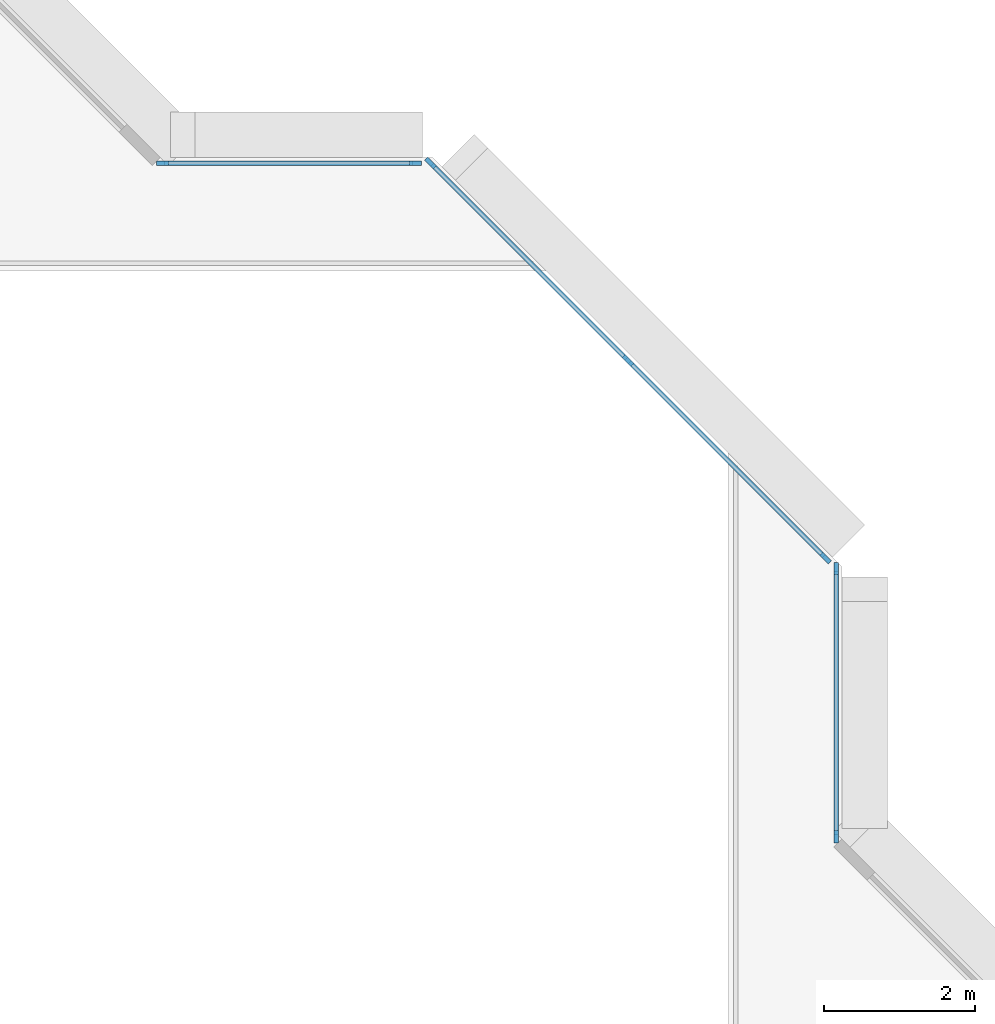
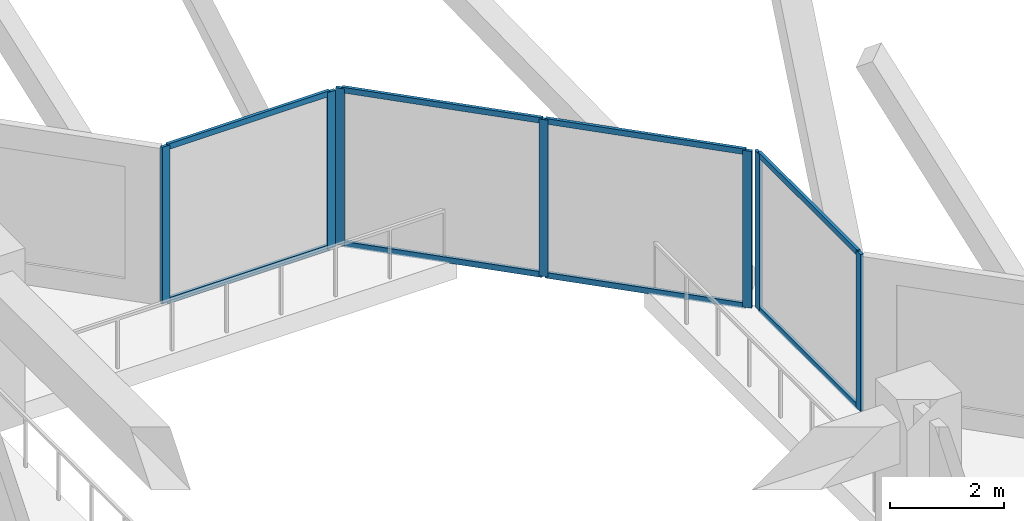
# One storey, part 2 of 15: 15 members, 3 elements without a shape of their own.
"""IFC4 building model written with IfcOpenShell, lengths in metres."""

from ifc_helpers import new_model, si_unit, direction, frame, origin, origin_2d, place, context, subcontext, project, spatial, rectangle, extrude, material, layer, layer_set, material_profile, profile_set, type_object, element, aggregate, save


model = new_model("IFC4")

# Units and contexts
model_context = context("Model", 3, precision=1e-05, world=origin(), true_north=direction((0.0, 1.0)))
body_context = subcontext(model_context, "Body", "Model", "MODEL_VIEW")
ifc_project = project(units=[si_unit("LENGTHUNIT", "METRE"), si_unit("AREAUNIT", "SQUARE_METRE"), si_unit("VOLUMEUNIT", "CUBIC_METRE"), si_unit("PLANEANGLEUNIT", "RADIAN"), si_unit("MASSUNIT", "GRAM", prefix="KILO")], contexts=[model_context])

# Site, building, storey
site_placement = place(None, origin())
site = spatial("IfcSite", under=ifc_project, at=site_placement, CompositionType="ELEMENT")
building_placement = place(site_placement, origin())
building = spatial("IfcBuilding", under=site, at=building_placement, Name="Chenar Terraces", CompositionType="ELEMENT")
storey_placement = place(building_placement, frame((0.0, 0.0, 41.39990234375)))
storey = spatial("IfcBuildingStorey", under=building, at=storey_placement, Name="L07", CompositionType="ELEMENT", Elevation=41.39990234375)

# Curtain wall, members
ifc_material_1 = material(Name="Aluminium framed glazing", Category="aluminium")
ifc_layer = layer(ifc_material_1, 0.14990234375)
ifc_layer_set = layer_set([ifc_layer], Name="Aluminium framed glazing")
curtain_wall_type = type_object("IfcCurtainWallType", Name="Atrium curtain wall", PredefinedType="NOTDEFINED", material=ifc_layer_set)
placement = place(storey_placement, origin())
curtain_wall_1 = element("IfcCurtainWall", 1, at=placement, inside=storey, type_object=curtain_wall_type, Name="Atrium curtain wall", PredefinedType="NOTDEFINED")
ifc_material_2 = material(Name="Aluminium", Category="aluminium")
ifc_material_profile_1 = material_profile(ifc_material_2, rectangle(XDim=0.06005859375, YDim=0.159912109375, at=origin_2d()), Name="Atrium glazing mullion 60 x 160")
ifc_profile_set_1 = profile_set([ifc_material_profile_1], Name="Aluminium")
member_type_1 = type_object("IfcMemberType", Name="Atrium glazing mullion 60 x 160", PredefinedType="MULLION", material=ifc_profile_set_1)
member_1_placement = place(storey_placement, frame((37.425048828125, 28.530029296875, 0.0), z_axis=(0.0, 0.0, 1.0), x_axis=(-1.0, 0.0, 0.0)))
member_1 = element("IfcMember", 2, at=member_1_placement, type_object=member_type_1, Name="CW1-1 mullion 1", PredefinedType="MULLION", context=body_context, shape_type="SweptSolid", body=[
    extrude(rectangle(XDim=0.06005859375, YDim=0.159912109375, at=origin_2d()), origin(), (0.0, 0.0, 1.0), 3.35009765625),
])
member_2_placement = place(storey_placement, frame((37.425048828125, 32.070068359375, 0.0), z_axis=(0.0, 0.0, 1.0), x_axis=(-1.0, 0.0, 0.0)))
member_2 = element("IfcMember", 3, at=member_2_placement, type_object=member_type_1, Name="CW1-1 mullion 2", PredefinedType="MULLION", context=body_context, shape_type="SweptSolid", body=[
    extrude(rectangle(XDim=0.06005859375, YDim=0.159912109375, at=origin_2d()), origin(), (0.0, 0.0, 1.0), 3.35009765625),
])

curtain_wall_2 = element("IfcCurtainWall", 4, at=placement, inside=storey, type_object=curtain_wall_type, Name="Atrium curtain wall", PredefinedType="NOTDEFINED")
member_3_placement = place(storey_placement, frame((37.284423828125, 32.209716796875, 0.0), z_axis=(0.0, 0.0, 1.0), x_axis=(-0.707106781187, -0.707106781187, 0.0)))
member_3 = element("IfcMember", 5, at=member_3_placement, type_object=member_type_1, Name="CW1-2 mullion 1", PredefinedType="MULLION", context=body_context, shape_type="SweptSolid", body=[
    extrude(rectangle(XDim=0.06005859375, YDim=0.159912109375, at=origin_2d()), origin(), (0.0, 0.0, 1.0), 3.35009765625),
])
member_4_placement = place(storey_placement, frame((34.67626953125, 34.817626953125, 0.0), z_axis=(0.0, 0.0, 1.0), x_axis=(-0.707106781187, -0.707106781187, 0.0)))
member_4 = element("IfcMember", 6, at=member_4_placement, type_object=member_type_1, Name="CW1-2 mullion 2", PredefinedType="MULLION", context=body_context, shape_type="SweptSolid", body=[
    extrude(rectangle(XDim=0.06005859375, YDim=0.159912109375, at=origin_2d()), origin(), (0.0, 0.0, 1.0), 3.35009765625),
])
member_5_placement = place(storey_placement, frame((32.068115234375, 37.42578125, 0.0), z_axis=(0.0, 0.0, 1.0), x_axis=(-0.707106781187, -0.707106781187, 0.0)))
member_5 = element("IfcMember", 7, at=member_5_placement, type_object=member_type_1, Name="CW1-2 mullion 3", PredefinedType="MULLION", context=body_context, shape_type="SweptSolid", body=[
    extrude(rectangle(XDim=0.06005859375, YDim=0.159912109375, at=origin_2d()), origin(), (0.0, 0.0, 1.0), 3.35009765625),
])

curtain_wall_3 = element("IfcCurtainWall", 8, at=placement, inside=storey, type_object=curtain_wall_type, Name="Atrium curtain wall", PredefinedType="NOTDEFINED")
member_6_placement = place(storey_placement, frame((31.8701171875, 37.425048828125, 0.0), z_axis=(0.0, 0.0, 1.0), x_axis=(0.0, -1.0, 0.0)))
member_6 = element("IfcMember", 9, at=member_6_placement, type_object=member_type_1, Name="CW1-3 mullion 1", PredefinedType="MULLION", context=body_context, shape_type="SweptSolid", body=[
    extrude(rectangle(XDim=0.06005859375, YDim=0.159912109375, at=origin_2d()), origin(), (0.0, 0.0, 1.0), 3.35009765625),
])
member_7_placement = place(storey_placement, frame((28.530029296875, 37.425048828125, 0.0), z_axis=(0.0, 0.0, 1.0), x_axis=(0.0, -1.0, 0.0)))
member_7 = element("IfcMember", 10, at=member_7_placement, type_object=member_type_1, Name="CW1-3 mullion 2", PredefinedType="MULLION", context=body_context, shape_type="SweptSolid", body=[
    extrude(rectangle(XDim=0.06005859375, YDim=0.159912109375, at=origin_2d()), origin(), (0.0, 0.0, 1.0), 3.35009765625),
])

# Member
ifc_material_3 = material(Name="Aluminium", Category="aluminium")
ifc_material_profile_2 = material_profile(ifc_material_3, rectangle(XDim=0.06005859375, YDim=0.1201171875, at=origin_2d()), Name="Atrium glazing transom 60 x 120")
ifc_profile_set_2 = profile_set([ifc_material_profile_2], Name="Aluminium")
member_type_2 = type_object("IfcMemberType", Name="Atrium glazing transom 60 x 120", PredefinedType="USERDEFINED", material=ifc_profile_set_2)
member_8_placement = place(storey_placement, frame((37.425048828125, 28.56005859375, 0.030029296875), z_axis=(0.0, 1.0, 0.0), x_axis=(-1.0, 0.0, 0.0)))
member_8 = element("IfcMember", 11, at=member_8_placement, type_object=member_type_2, Name="CW1-1 transom 1.1", ObjectType="TRANSOM", PredefinedType="USERDEFINED", context=body_context, shape_type="SweptSolid", body=[
    extrude(rectangle(XDim=0.06005859375, YDim=0.1201171875, at=origin_2d()), origin(), (0.0, 0.0, 1.0), 3.47998046875),
])

member_9_placement = place(storey_placement, frame((37.425048828125, 28.56005859375, 3.320068359375), z_axis=(0.0, 1.0, 0.0), x_axis=(-1.0, 0.0, 0.0)))
member_9 = element("IfcMember", 12, at=member_9_placement, type_object=member_type_2, Name="CW1-1 transom 1.2", ObjectType="TRANSOM", PredefinedType="USERDEFINED", context=body_context, shape_type="SweptSolid", body=[
    extrude(rectangle(XDim=0.06005859375, YDim=0.1201171875, at=origin_2d()), origin(), (0.0, 0.0, 1.0), 3.47998046875),
])

aggregate(curtain_wall_1, [member_1, member_2, member_8, member_9])

member_10_placement = place(storey_placement, frame((37.26318359375, 32.230712890625, 0.030029296875), z_axis=(-0.707106781187, 0.707106781187, 0.0), x_axis=(-0.707106781187, -0.707106781187, 0.0)))
member_10 = element("IfcMember", 13, at=member_10_placement, type_object=member_type_2, Name="CW1-2 transom 1.1", ObjectType="TRANSOM", PredefinedType="USERDEFINED", context=body_context, shape_type="SweptSolid", body=[
    extrude(rectangle(XDim=0.06005859375, YDim=0.1201171875, at=origin_2d()), origin(), (0.0, 0.0, 1.0), 3.62841796875),
])

member_11_placement = place(storey_placement, frame((37.26318359375, 32.230712890625, 3.320068359375), z_axis=(-0.707106781187, 0.707106781187, 0.0), x_axis=(-0.707106781187, -0.707106781187, 0.0)))
member_11 = element("IfcMember", 14, at=member_11_placement, type_object=member_type_2, Name="CW1-2 transom 1.2", ObjectType="TRANSOM", PredefinedType="USERDEFINED", context=body_context, shape_type="SweptSolid", body=[
    extrude(rectangle(XDim=0.06005859375, YDim=0.1201171875, at=origin_2d()), origin(), (0.0, 0.0, 1.0), 3.62841796875),
])

member_12_placement = place(storey_placement, frame((34.655029296875, 34.8388671875, 0.030029296875), z_axis=(-0.707106781187, 0.707106781187, 0.0), x_axis=(-0.707106781187, -0.707106781187, 0.0)))
member_12 = element("IfcMember", 15, at=member_12_placement, type_object=member_type_2, Name="CW1-2 transom 2.1", ObjectType="TRANSOM", PredefinedType="USERDEFINED", context=body_context, shape_type="SweptSolid", body=[
    extrude(rectangle(XDim=0.06005859375, YDim=0.1201171875, at=origin_2d()), origin(), (0.0, 0.0, 1.0), 3.62841796875),
])

member_13_placement = place(storey_placement, frame((34.655029296875, 34.8388671875, 3.320068359375), z_axis=(-0.707106781187, 0.707106781187, 0.0), x_axis=(-0.707106781187, -0.707106781187, 0.0)))
member_13 = element("IfcMember", 16, at=member_13_placement, type_object=member_type_2, Name="CW1-2 transom 2.2", ObjectType="TRANSOM", PredefinedType="USERDEFINED", context=body_context, shape_type="SweptSolid", body=[
    extrude(rectangle(XDim=0.06005859375, YDim=0.1201171875, at=origin_2d()), origin(), (0.0, 0.0, 1.0), 3.62841796875),
])

aggregate(curtain_wall_2, [member_3, member_4, member_5, member_10, member_11, member_12, member_13])

member_14_placement = place(storey_placement, frame((31.840087890625, 37.425048828125, 0.030029296875), z_axis=(-1.0, 0.0, 0.0), x_axis=(0.0, -1.0, 0.0)))
member_14 = element("IfcMember", 17, at=member_14_placement, type_object=member_type_2, Name="CW1-3 transom 1.1", ObjectType="TRANSOM", PredefinedType="USERDEFINED", context=body_context, shape_type="SweptSolid", body=[
    extrude(rectangle(XDim=0.06005859375, YDim=0.1201171875, at=origin_2d()), origin(), (0.0, 0.0, 1.0), 3.280029296875),
])

member_15_placement = place(storey_placement, frame((31.840087890625, 37.425048828125, 3.320068359375), z_axis=(-1.0, 0.0, 0.0), x_axis=(0.0, -1.0, 0.0)))
member_15 = element("IfcMember", 18, at=member_15_placement, type_object=member_type_2, Name="CW1-3 transom 1.2", ObjectType="TRANSOM", PredefinedType="USERDEFINED", context=body_context, shape_type="SweptSolid", body=[
    extrude(rectangle(XDim=0.06005859375, YDim=0.1201171875, at=origin_2d()), origin(), (0.0, 0.0, 1.0), 3.280029296875),
])

aggregate(curtain_wall_3, [member_6, member_7, member_14, member_15])

save(model, "model.ifc")
